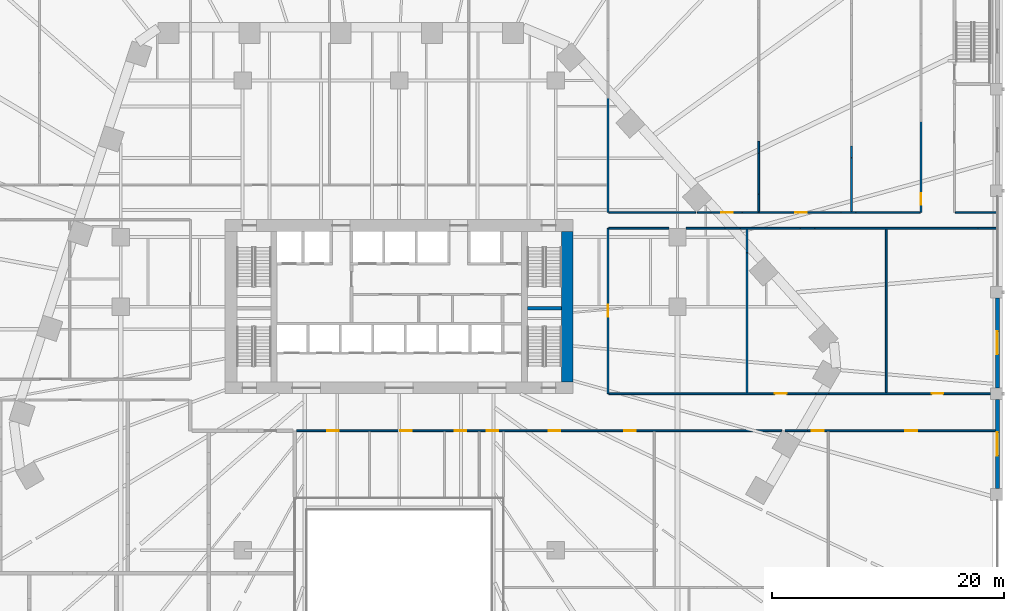
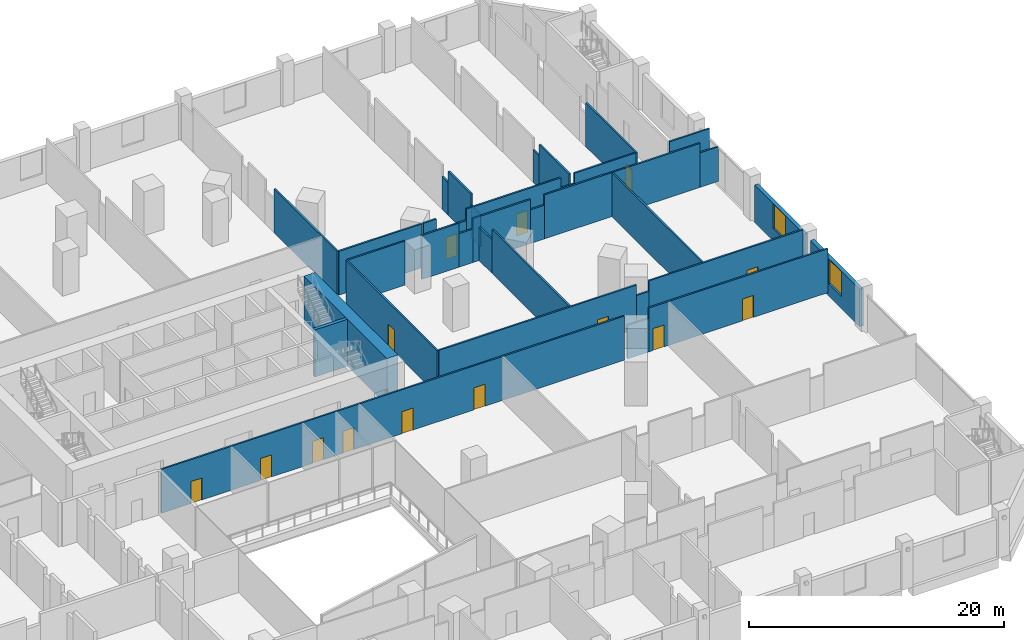
# One storey, part 19 of 33: 35 walls, 14 doors, 2 windows, 16 openings.
"""IFC4 building model written with IfcOpenShell, lengths in metres."""

from ifc_helpers import new_model, si_unit, direction, frame, frame_2d, origin, place, context, subcontext, project, spatial, rectangle, extrude, material, layer, layer_set, type_object, element, fill, save


model = new_model("IFC4")

# Units and contexts
model_context = context("Model", 3, precision=1e-05, world=origin(), true_north=direction((0.0, 1.0)))
body_context = subcontext(model_context, "Body", "Model", "MODEL_VIEW")
ifc_project = project(units=[si_unit("LENGTHUNIT", "METRE"), si_unit("AREAUNIT", "SQUARE_METRE"), si_unit("VOLUMEUNIT", "CUBIC_METRE"), si_unit("PLANEANGLEUNIT", "RADIAN"), si_unit("MASSUNIT", "GRAM", prefix="KILO")], contexts=[model_context])

# Site, building, storey
site_placement = place(None, origin())
site = spatial("IfcSite", under=ifc_project, at=site_placement, CompositionType="ELEMENT")
building_placement = place(site_placement, origin())
building = spatial("IfcBuilding", under=site, at=building_placement, Name="Isthmus Gate Tower", CompositionType="ELEMENT")
storey_placement = place(building_placement, frame((0.0, 0.0, 22.5)))
storey = spatial("IfcBuildingStorey", under=building, at=storey_placement, Name="L03", CompositionType="ELEMENT", Elevation=22.5)

# Wall, opening, door
ifc_material_1 = material(Name="Fire-rated gypsum board on steel studs", Category="steel")
ifc_layer_1 = layer(ifc_material_1, 0.14990234375)
ifc_layer_set_1 = layer_set([ifc_layer_1], Name="Fire-rated partition 150 EI 60")
wall_type_1 = type_object("IfcWallType", Name="Fire-rated partition 150 EI 60", PredefinedType="PARTITIONING", material=ifc_layer_set_1)
wall_1_placement = place(storey_placement, frame((45.0, 15.62939453125, 0.0), z_axis=(0.0, 0.0, 1.0), x_axis=(0.0, 1.0, 0.0)))
wall_1 = element("IfcWall", 1, at=wall_1_placement, inside=storey, type_object=wall_type_1, Name="Fire-rated partition", PredefinedType="PARTITIONING", context=body_context, shape_type="SweptSolid", body=[
    extrude(rectangle(XDim=7.828857421875, YDim=0.14990234375, at=frame_2d((3.91455078125, 0.0))), origin(), (0.0, 0.0, 1.0), 4.199951171875),
])
opening_1_placement = place(wall_1_placement, frame((0.64990234375, 0.0, 0.0)))
opening_1 = element("IfcOpeningElement", 2, at=opening_1_placement, cuts=wall_1, Name="Opening DP03-39", PredefinedType="OPENING", context=body_context, shape_type="SweptSolid", body=[
    extrude(rectangle(XDim=1.0, YDim=2.10009765625, at=frame_2d((0.5, 1.050048828125))), frame((0.0, 0.0849609375, 0.0), z_axis=(0.0, -1.0, 0.0), x_axis=(1.0, 0.0, 0.0)), (0.0, 0.0, 1.0), 0.169921875),
])
ifc_material_2 = material(Name="Steel fire door with intumescent seals", Category="steel")
door_type_1 = type_object("IfcDoorType", Name="Fire door 1000 x 2100", OperationType="SINGLE_SWING_LEFT", PredefinedType="DOOR", material=ifc_material_2)
door_1_placement = place(opening_1_placement, origin())
door_1 = element("IfcDoor", 3, at=door_1_placement, inside=storey, type_object=door_type_1, Name="Door DP03-39", OperationType="SINGLE_SWING_LEFT", OverallHeight=2.10009765625, OverallWidth=1.0, PredefinedType="DOOR", context=body_context, shape_type="SweptSolid", body=[
    extrude(rectangle(XDim=1.0, YDim=2.10009765625, at=frame_2d((0.5, 1.050048828125))), frame((0.0, 0.02490234375, 0.0), z_axis=(0.0, -1.0, 0.0), x_axis=(1.0, 0.0, 0.0)), (0.0, 0.0, 1.0), 0.050048828125),
])
fill(opening_1, door_1)

# Wall, opening, window
ifc_material_3 = material(Name="Precast concrete C40/50, limestone-faced", Category="masonry")
ifc_layer_2 = layer(ifc_material_3, 0.35009765625)
ifc_layer_set_2 = layer_set([ifc_layer_2], Name="PODIUM CLADDING WALL 350")
wall_type_2 = type_object("IfcWallType", Name="PODIUM CLADDING WALL 350", PredefinedType="SOLIDWALL", material=ifc_layer_set_2)
wall_2_placement = place(storey_placement, frame((51.574951171875, -8.199951171875, -0.300048828125), z_axis=(0.0, 0.0, 1.0), x_axis=(0.0, 1.0, 0.0)))
wall_2 = element("IfcWall", 4, at=wall_2_placement, inside=storey, type_object=wall_type_2, Name="PODIUM WALL", PredefinedType="SOLIDWALL", context=body_context, shape_type="SweptSolid", body=[
    extrude(rectangle(XDim=7.699951171875, YDim=0.35009765625, at=frame_2d((3.85009765625, 0.0))), origin(), (0.0, 0.0, 1.0), 3.60009765625),
])
opening_2_placement = place(wall_2_placement, frame((2.85009765625, 0.0, 1.199951171875)))
opening_2 = element("IfcOpeningElement", 5, at=opening_2_placement, cuts=wall_2, Name="Opening W044", PredefinedType="OPENING", context=body_context, shape_type="SweptSolid", body=[
    extrude(rectangle(XDim=2.0, YDim=2.35009765625, at=frame_2d((1.0, 1.175048828125))), frame((0.0, 0.18505859375, 0.0), z_axis=(0.0, -1.0, 0.0), x_axis=(1.0, 0.0, 0.0)), (0.0, 0.0, 1.0), 0.3701171875),
])
ifc_material_4 = material(Name="Aluminium, pale champagne anodised, laminated glass", Category="aluminium")
window_type = type_object("IfcWindowType", Name="PODIUM SLOT WINDOW 2000 X 2350", PartitioningType="SINGLE_PANEL", PredefinedType="WINDOW", material=ifc_material_4)
window_1_placement = place(opening_2_placement, origin())
window_1 = element("IfcWindow", 6, at=window_1_placement, inside=storey, type_object=window_type, Name="SLOT WINDOW", OverallHeight=2.35009765625, OverallWidth=2.0, PartitioningType="SINGLE_PANEL", PredefinedType="WINDOW", context=body_context, shape_type="SweptSolid", body=[
    extrude(rectangle(XDim=2.0, YDim=2.35009765625, at=frame_2d((1.0, 1.175048828125))), frame((0.0, 0.030029296875, 0.0), z_axis=(0.0, -1.0, 0.0), x_axis=(1.0, 0.0, 0.0)), (0.0, 0.0, 1.0), 0.06005859375),
])
fill(opening_2, window_1)

wall_3_placement = place(storey_placement, frame((51.574951171875, 0.5, -0.300048828125), z_axis=(0.0, 0.0, 1.0), x_axis=(0.0, 1.0, 0.0)))
wall_3 = element("IfcWall", 7, at=wall_3_placement, inside=storey, type_object=wall_type_2, Name="PODIUM WALL", PredefinedType="SOLIDWALL", context=body_context, shape_type="SweptSolid", body=[
    extrude(rectangle(XDim=7.75, YDim=0.35009765625, at=frame_2d((3.875, 0.0))), origin(), (0.0, 0.0, 1.0), 3.60009765625),
])
opening_3_placement = place(wall_3_placement, frame((2.875, 0.0, 1.199951171875)))
opening_3 = element("IfcOpeningElement", 8, at=opening_3_placement, cuts=wall_3, Name="Opening W045", PredefinedType="OPENING", context=body_context, shape_type="SweptSolid", body=[
    extrude(rectangle(XDim=2.0, YDim=2.35009765625, at=frame_2d((1.0, 1.175048828125))), frame((0.0, 0.18505859375, 0.0), z_axis=(0.0, -1.0, 0.0), x_axis=(1.0, 0.0, 0.0)), (0.0, 0.0, 1.0), 0.3701171875),
])
window_2_placement = place(opening_3_placement, origin())
window_2 = element("IfcWindow", 9, at=window_2_placement, inside=storey, type_object=window_type, Name="SLOT WINDOW", OverallHeight=2.35009765625, OverallWidth=2.0, PartitioningType="SINGLE_PANEL", PredefinedType="WINDOW", context=body_context, shape_type="SweptSolid", body=[
    extrude(rectangle(XDim=2.0, YDim=2.35009765625, at=frame_2d((1.0, 1.175048828125))), frame((0.0, 0.030029296875, 0.0), z_axis=(0.0, -1.0, 0.0), x_axis=(1.0, 0.0, 0.0)), (0.0, 0.0, 1.0), 0.06005859375),
])
fill(opening_3, window_2)

# Wall, openings, doors
ifc_material_5 = material(Name="Gypsum board on cold-formed steel studs", Category="steel")
ifc_layer_3 = layer(ifc_material_5, 0.14990234375)
ifc_layer_set_3 = layer_set([ifc_layer_3])
wall_type_3 = type_object("IfcWallType", Name="Partition 150 gypsum board on steel studs", PredefinedType="PARTITIONING", material=ifc_layer_set_3)
wall_4_placement = place(storey_placement, frame((-8.85009765625, -3.199951171875, 0.0), z_axis=(0.0, 0.0, 1.0), x_axis=(1.0, 0.0, 0.0)))
wall_4 = element("IfcWall", 10, at=wall_4_placement, inside=storey, type_object=wall_type_3, Name="Partition", PredefinedType="PARTITIONING", context=body_context, shape_type="SweptSolid", body=[
    extrude(rectangle(XDim=41.831298828125, YDim=0.14990234375, at=frame_2d((20.91552734375, 0.0))), origin(), (0.0, 0.0, 1.0), 4.199951171875),
])
opening_4_placement = place(wall_4_placement, frame((21.75, 0.0, 0.0)))
opening_4 = element("IfcOpeningElement", 11, at=opening_4_placement, cuts=wall_4, Name="Opening DP03-19", PredefinedType="OPENING", context=body_context, shape_type="SweptSolid", body=[
    extrude(rectangle(XDim=1.0, YDim=2.10009765625, at=frame_2d((0.5, 1.050048828125))), frame((0.0, 0.0849609375, 0.0), z_axis=(0.0, -1.0, 0.0), x_axis=(1.0, 0.0, 0.0)), (0.0, 0.0, 1.0), 0.169921875),
])
opening_5_placement = place(wall_4_placement, frame((28.25, 0.0, 0.0)))
opening_5 = element("IfcOpeningElement", 12, at=opening_5_placement, cuts=wall_4, Name="Opening DP03-20", PredefinedType="OPENING", context=body_context, shape_type="SweptSolid", body=[
    extrude(rectangle(XDim=1.0, YDim=2.10009765625, at=frame_2d((0.5, 1.050048828125))), frame((0.0, 0.0849609375, 0.0), z_axis=(0.0, -1.0, 0.0), x_axis=(1.0, 0.0, 0.0)), (0.0, 0.0, 1.0), 0.169921875),
])
opening_6_placement = place(wall_4_placement, frame((2.64990234375, 0.0, 0.0)))
opening_6 = element("IfcOpeningElement", 13, at=opening_6_placement, cuts=wall_4, Name="Opening DP03-27", PredefinedType="OPENING", context=body_context, shape_type="SweptSolid", body=[
    extrude(rectangle(XDim=1.0, YDim=2.10009765625, at=frame_2d((0.5, 1.050048828125))), frame((0.0, 0.0849609375, 0.0), z_axis=(0.0, -1.0, 0.0), x_axis=(1.0, 0.0, 0.0)), (0.0, 0.0, 1.0), 0.169921875),
])
opening_7_placement = place(wall_4_placement, frame((8.949951171875, 0.0, 0.0)))
opening_7 = element("IfcOpeningElement", 14, at=opening_7_placement, cuts=wall_4, Name="Opening DP03-28", PredefinedType="OPENING", context=body_context, shape_type="SweptSolid", body=[
    extrude(rectangle(XDim=1.0, YDim=2.10009765625, at=frame_2d((0.5, 1.050048828125))), frame((0.0, 0.0849609375, 0.0), z_axis=(0.0, -1.0, 0.0), x_axis=(1.0, 0.0, 0.0)), (0.0, 0.0, 1.0), 0.169921875),
])
opening_8_placement = place(wall_4_placement, frame((13.64990234375, 0.0, 0.0)))
opening_8 = element("IfcOpeningElement", 15, at=opening_8_placement, cuts=wall_4, Name="Opening DP03-29", PredefinedType="OPENING", context=body_context, shape_type="SweptSolid", body=[
    extrude(rectangle(XDim=1.0, YDim=2.10009765625, at=frame_2d((0.5, 1.050048828125))), frame((0.0, 0.0849609375, 0.0), z_axis=(0.0, -1.0, 0.0), x_axis=(1.0, 0.0, 0.0)), (0.0, 0.0, 1.0), 0.169921875),
])
opening_9_placement = place(wall_4_placement, frame((16.39990234375, 0.0, 0.0)))
opening_9 = element("IfcOpeningElement", 16, at=opening_9_placement, cuts=wall_4, Name="Opening DP03-30", PredefinedType="OPENING", context=body_context, shape_type="SweptSolid", body=[
    extrude(rectangle(XDim=1.0, YDim=2.10009765625, at=frame_2d((0.5, 1.050048828125))), frame((0.0, 0.0849609375, 0.0), z_axis=(0.0, -1.0, 0.0), x_axis=(1.0, 0.0, 0.0)), (0.0, 0.0, 1.0), 0.169921875),
])
ifc_material_6 = material(Name="Hollow metal frame with solid-core timber leaf", Category="wood")
door_type_2 = type_object("IfcDoorType", Name="Single swing door 1000 x 2100", OperationType="SINGLE_SWING_LEFT", PredefinedType="DOOR", material=ifc_material_6)
door_2_placement = place(opening_4_placement, origin())
door_2 = element("IfcDoor", 17, at=door_2_placement, inside=storey, type_object=door_type_2, Name="Door DP03-19", OperationType="SINGLE_SWING_LEFT", OverallHeight=2.10009765625, OverallWidth=1.0, PredefinedType="DOOR", context=body_context, shape_type="SweptSolid", body=[
    extrude(rectangle(XDim=1.0, YDim=2.10009765625, at=frame_2d((0.5, 1.050048828125))), frame((0.0, 0.02490234375, 0.0), z_axis=(0.0, -1.0, 0.0), x_axis=(1.0, 0.0, 0.0)), (0.0, 0.0, 1.0), 0.050048828125),
])
fill(opening_4, door_2)
door_3_placement = place(opening_5_placement, origin())
door_3 = element("IfcDoor", 18, at=door_3_placement, inside=storey, type_object=door_type_2, Name="Door DP03-20", OperationType="SINGLE_SWING_LEFT", OverallHeight=2.10009765625, OverallWidth=1.0, PredefinedType="DOOR", context=body_context, shape_type="SweptSolid", body=[
    extrude(rectangle(XDim=1.0, YDim=2.10009765625, at=frame_2d((0.5, 1.050048828125))), frame((0.0, 0.02490234375, 0.0), z_axis=(0.0, -1.0, 0.0), x_axis=(1.0, 0.0, 0.0)), (0.0, 0.0, 1.0), 0.050048828125),
])
fill(opening_5, door_3)
door_4_placement = place(opening_6_placement, origin())
door_4 = element("IfcDoor", 19, at=door_4_placement, inside=storey, type_object=door_type_2, Name="Door DP03-27", OperationType="SINGLE_SWING_LEFT", OverallHeight=2.10009765625, OverallWidth=1.0, PredefinedType="DOOR", context=body_context, shape_type="SweptSolid", body=[
    extrude(rectangle(XDim=1.0, YDim=2.10009765625, at=frame_2d((0.5, 1.050048828125))), frame((0.0, 0.02490234375, 0.0), z_axis=(0.0, -1.0, 0.0), x_axis=(1.0, 0.0, 0.0)), (0.0, 0.0, 1.0), 0.050048828125),
])
fill(opening_6, door_4)
door_5_placement = place(opening_7_placement, origin())
door_5 = element("IfcDoor", 20, at=door_5_placement, inside=storey, type_object=door_type_2, Name="Door DP03-28", OperationType="SINGLE_SWING_LEFT", OverallHeight=2.10009765625, OverallWidth=1.0, PredefinedType="DOOR", context=body_context, shape_type="SweptSolid", body=[
    extrude(rectangle(XDim=1.0, YDim=2.10009765625, at=frame_2d((0.5, 1.050048828125))), frame((0.0, 0.02490234375, 0.0), z_axis=(0.0, -1.0, 0.0), x_axis=(1.0, 0.0, 0.0)), (0.0, 0.0, 1.0), 0.050048828125),
])
fill(opening_7, door_5)
door_6_placement = place(opening_8_placement, origin())
door_6 = element("IfcDoor", 21, at=door_6_placement, inside=storey, type_object=door_type_2, Name="Door DP03-29", OperationType="SINGLE_SWING_LEFT", OverallHeight=2.10009765625, OverallWidth=1.0, PredefinedType="DOOR", context=body_context, shape_type="SweptSolid", body=[
    extrude(rectangle(XDim=1.0, YDim=2.10009765625, at=frame_2d((0.5, 1.050048828125))), frame((0.0, 0.02490234375, 0.0), z_axis=(0.0, -1.0, 0.0), x_axis=(1.0, 0.0, 0.0)), (0.0, 0.0, 1.0), 0.050048828125),
])
fill(opening_8, door_6)
door_7_placement = place(opening_9_placement, origin())
door_7 = element("IfcDoor", 22, at=door_7_placement, inside=storey, type_object=door_type_2, Name="Door DP03-30", OperationType="SINGLE_SWING_LEFT", OverallHeight=2.10009765625, OverallWidth=1.0, PredefinedType="DOOR", context=body_context, shape_type="SweptSolid", body=[
    extrude(rectangle(XDim=1.0, YDim=2.10009765625, at=frame_2d((0.5, 1.050048828125))), frame((0.0, 0.02490234375, 0.0), z_axis=(0.0, -1.0, 0.0), x_axis=(1.0, 0.0, 0.0)), (0.0, 0.0, 1.0), 0.050048828125),
])
fill(opening_9, door_7)

# Wall
wall_5_placement = place(storey_placement, frame((33.285888671875, -3.199951171875, 0.0), z_axis=(0.0, 0.0, 1.0), x_axis=(1.0, 0.0, 0.0)))
element("IfcWall", 23, at=wall_5_placement, inside=storey, type_object=wall_type_3, Name="Partition", PredefinedType="PARTITIONING", context=body_context, shape_type="SweptSolid", body=[
    extrude(rectangle(XDim=1.903564453125, YDim=0.14990234375, at=frame_2d((0.95166015625, 0.0))), origin(), (0.0, 0.0, 1.0), 3.199951171875),
])

# Wall, openings, doors
wall_6_placement = place(storey_placement, frame((35.189453125, -3.199951171875, 0.0), z_axis=(0.0, 0.0, 1.0), x_axis=(1.0, 0.0, 0.0)))
wall_6 = element("IfcWall", 24, at=wall_6_placement, inside=storey, type_object=wall_type_3, Name="Partition", PredefinedType="PARTITIONING", context=body_context, shape_type="SweptSolid", body=[
    extrude(rectangle(XDim=16.21044921875, YDim=0.14990234375, at=frame_2d((8.105224609375, 0.0))), origin(), (0.0, 0.0, 1.0), 4.199951171875),
])
opening_10_placement = place(wall_6_placement, frame((0.39990234375, 0.0, 0.0)))
opening_10 = element("IfcOpeningElement", 25, at=opening_10_placement, cuts=wall_6, Name="Opening DP03-21", PredefinedType="OPENING", context=body_context, shape_type="SweptSolid", body=[
    extrude(rectangle(XDim=1.0, YDim=2.10009765625, at=frame_2d((0.5, 1.050048828125))), frame((0.0, 0.0849609375, 0.0), z_axis=(0.0, -1.0, 0.0), x_axis=(1.0, 0.0, 0.0)), (0.0, 0.0, 1.0), 0.169921875),
])
opening_11_placement = place(wall_6_placement, frame((8.46044921875, 0.0, 0.0)))
opening_11 = element("IfcOpeningElement", 26, at=opening_11_placement, cuts=wall_6, Name="Opening DP03-22", PredefinedType="OPENING", context=body_context, shape_type="SweptSolid", body=[
    extrude(rectangle(XDim=1.0, YDim=2.10009765625, at=frame_2d((0.5, 1.050048828125))), frame((0.0, 0.0849609375, 0.0), z_axis=(0.0, -1.0, 0.0), x_axis=(1.0, 0.0, 0.0)), (0.0, 0.0, 1.0), 0.169921875),
])
door_8_placement = place(opening_10_placement, origin())
door_8 = element("IfcDoor", 27, at=door_8_placement, inside=storey, type_object=door_type_2, Name="Door DP03-21", OperationType="SINGLE_SWING_LEFT", OverallHeight=2.10009765625, OverallWidth=1.0, PredefinedType="DOOR", context=body_context, shape_type="SweptSolid", body=[
    extrude(rectangle(XDim=1.0, YDim=2.10009765625, at=frame_2d((0.5, 1.050048828125))), frame((0.0, 0.02490234375, 0.0), z_axis=(0.0, -1.0, 0.0), x_axis=(1.0, 0.0, 0.0)), (0.0, 0.0, 1.0), 0.050048828125),
])
fill(opening_10, door_8)
door_9_placement = place(opening_11_placement, origin())
door_9 = element("IfcDoor", 28, at=door_9_placement, inside=storey, type_object=door_type_2, Name="Door DP03-22", OperationType="SINGLE_SWING_LEFT", OverallHeight=2.10009765625, OverallWidth=1.0, PredefinedType="DOOR", context=body_context, shape_type="SweptSolid", body=[
    extrude(rectangle(XDim=1.0, YDim=2.10009765625, at=frame_2d((0.5, 1.050048828125))), frame((0.0, 0.02490234375, 0.0), z_axis=(0.0, -1.0, 0.0), x_axis=(1.0, 0.0, 0.0)), (0.0, 0.0, 1.0), 0.050048828125),
])
fill(opening_11, door_9)

# Wall, opening, door
wall_7_placement = place(storey_placement, frame((18.074951171875, 0.0, 0.0), z_axis=(0.0, 0.0, 1.0), x_axis=(1.0, 0.0, 0.0)))
wall_7 = element("IfcWall", 29, at=wall_7_placement, inside=storey, type_object=wall_type_3, Name="Partition", PredefinedType="PARTITIONING", context=body_context, shape_type="SweptSolid", body=[
    extrude(rectangle(XDim=17.865234375, YDim=0.14990234375, at=frame_2d((8.9326171875, 0.0))), origin(), (0.0, 0.0, 1.0), 4.199951171875),
])
opening_12_placement = place(wall_7_placement, frame((14.324951171875, 0.0, 0.0)))
opening_12 = element("IfcOpeningElement", 30, at=opening_12_placement, cuts=wall_7, Name="Opening DP03-44", PredefinedType="OPENING", context=body_context, shape_type="SweptSolid", body=[
    extrude(rectangle(XDim=1.0, YDim=2.10009765625, at=frame_2d((0.5, 1.050048828125))), frame((0.0, 0.0849609375, 0.0), z_axis=(0.0, -1.0, 0.0), x_axis=(1.0, 0.0, 0.0)), (0.0, 0.0, 1.0), 0.169921875),
])
door_10_placement = place(opening_12_placement, origin())
door_10 = element("IfcDoor", 31, at=door_10_placement, inside=storey, type_object=door_type_2, Name="Door DP03-44", OperationType="SINGLE_SWING_LEFT", OverallHeight=2.10009765625, OverallWidth=1.0, PredefinedType="DOOR", context=body_context, shape_type="SweptSolid", body=[
    extrude(rectangle(XDim=1.0, YDim=2.10009765625, at=frame_2d((0.5, 1.050048828125))), frame((0.0, 0.02490234375, 0.0), z_axis=(0.0, -1.0, 0.0), x_axis=(1.0, 0.0, 0.0)), (0.0, 0.0, 1.0), 0.050048828125),
])
fill(opening_12, door_10)

# Wall
wall_8_placement = place(storey_placement, frame((35.940185546875, 0.0, 0.0), z_axis=(0.0, 0.0, 1.0), x_axis=(1.0, 0.0, 0.0)))
element("IfcWall", 32, at=wall_8_placement, inside=storey, type_object=wall_type_3, Name="Partition", PredefinedType="PARTITIONING", context=body_context, shape_type="SweptSolid", body=[
    extrude(rectangle(XDim=1.096923828125, YDim=0.14990234375, at=frame_2d((0.54833984375, 0.0))), origin(), (0.0, 0.0, 1.0), 3.199951171875),
])

# Wall, opening, door
wall_9_placement = place(storey_placement, frame((37.037109375, 0.0, 0.0), z_axis=(0.0, 0.0, 1.0), x_axis=(1.0, 0.0, 0.0)))
wall_9 = element("IfcWall", 33, at=wall_9_placement, inside=storey, type_object=wall_type_3, Name="Partition", PredefinedType="PARTITIONING", context=body_context, shape_type="SweptSolid", body=[
    extrude(rectangle(XDim=13.962890625, YDim=0.14990234375, at=frame_2d((6.9814453125, 0.0))), origin(), (0.0, 0.0, 1.0), 4.199951171875),
])
opening_13_placement = place(wall_9_placement, frame((8.863037109375, 0.0, 0.0)))
opening_13 = element("IfcOpeningElement", 34, at=opening_13_placement, cuts=wall_9, Name="Opening DP03-45", PredefinedType="OPENING", context=body_context, shape_type="SweptSolid", body=[
    extrude(rectangle(XDim=1.0, YDim=2.10009765625, at=frame_2d((0.5, 1.050048828125))), frame((0.0, 0.0849609375, 0.0), z_axis=(0.0, -1.0, 0.0), x_axis=(1.0, 0.0, 0.0)), (0.0, 0.0, 1.0), 0.169921875),
])
door_11_placement = place(opening_13_placement, origin())
door_11 = element("IfcDoor", 35, at=door_11_placement, inside=storey, type_object=door_type_2, Name="Door DP03-45", OperationType="SINGLE_SWING_LEFT", OverallHeight=2.10009765625, OverallWidth=1.0, PredefinedType="DOOR", context=body_context, shape_type="SweptSolid", body=[
    extrude(rectangle(XDim=1.0, YDim=2.10009765625, at=frame_2d((0.5, 1.050048828125))), frame((0.0, 0.02490234375, 0.0), z_axis=(0.0, -1.0, 0.0), x_axis=(1.0, 0.0, 0.0)), (0.0, 0.0, 1.0), 0.050048828125),
])
fill(opening_13, door_11)

# Walls
wall_10_placement = place(storey_placement, frame((18.074951171875, 14.25, 0.0), z_axis=(0.0, 0.0, 1.0), x_axis=(1.0, 0.0, 0.0)))
element("IfcWall", 36, at=wall_10_placement, inside=storey, type_object=wall_type_3, Name="Partition", PredefinedType="PARTITIONING", context=body_context, shape_type="SweptSolid", body=[
    extrude(rectangle(XDim=5.175048828125, YDim=0.14990234375, at=frame_2d((2.58740234375, 0.0))), origin(), (0.0, 0.0, 1.0), 4.199951171875),
])
wall_11_placement = place(storey_placement, frame((24.75, 14.25, 0.0), z_axis=(0.0, 0.0, 1.0), x_axis=(1.0, 0.0, 0.0)))
element("IfcWall", 37, at=wall_11_placement, inside=storey, type_object=wall_type_3, Name="Partition", PredefinedType="PARTITIONING", context=body_context, shape_type="SweptSolid", body=[
    extrude(rectangle(XDim=3.361083984375, YDim=0.14990234375, at=frame_2d((1.6806640625, 0.0))), origin(), (0.0, 0.0, 1.0), 4.199951171875),
])
wall_12_placement = place(storey_placement, frame((28.111083984375, 14.25, 0.0), z_axis=(0.0, 0.0, 1.0), x_axis=(1.0, 0.0, 0.0)))
element("IfcWall", 38, at=wall_12_placement, inside=storey, type_object=wall_type_3, Name="Partition", PredefinedType="PARTITIONING", context=body_context, shape_type="SweptSolid", body=[
    extrude(rectangle(XDim=1.2783203125, YDim=0.14990234375, at=frame_2d((0.63916015625, 0.0))), origin(), (0.0, 0.0, 1.0), 3.199951171875),
])
wall_13_placement = place(storey_placement, frame((29.389404296875, 14.25, 0.0), z_axis=(0.0, 0.0, 1.0), x_axis=(1.0, 0.0, 0.0)))
element("IfcWall", 39, at=wall_13_placement, inside=storey, type_object=wall_type_3, Name="Partition", PredefinedType="PARTITIONING", context=body_context, shape_type="SweptSolid", body=[
    extrude(rectangle(XDim=5.19970703125, YDim=0.14990234375, at=frame_2d((2.599853515625, 0.0))), origin(), (0.0, 0.0, 1.0), 4.199951171875),
])
wall_14_placement = place(storey_placement, frame((34.589111328125, 14.25, 0.0), z_axis=(0.0, 0.0, 1.0), x_axis=(1.0, 0.0, 0.0)))
element("IfcWall", 40, at=wall_14_placement, inside=storey, type_object=wall_type_3, Name="Partition", PredefinedType="PARTITIONING", context=body_context, shape_type="SweptSolid", body=[
    extrude(rectangle(XDim=1.231201171875, YDim=0.14990234375, at=frame_2d((0.61572265625, 0.0))), origin(), (0.0, 0.0, 1.0), 3.218994140625),
])
wall_15_placement = place(storey_placement, frame((35.8203125, 14.25, 0.0), z_axis=(0.0, 0.0, 1.0), x_axis=(1.0, 0.0, 0.0)))
element("IfcWall", 41, at=wall_15_placement, inside=storey, type_object=wall_type_3, Name="Partition", PredefinedType="PARTITIONING", context=body_context, shape_type="SweptSolid", body=[
    extrude(rectangle(XDim=14.095703125, YDim=0.14990234375, at=frame_2d((7.0478515625, 0.0))), origin(), (0.0, 0.0, 1.0), 4.199951171875),
])
wall_16_placement = place(storey_placement, frame((49.916015625, 14.25, 0.0), z_axis=(0.0, 0.0, 1.0), x_axis=(1.0, 0.0, 0.0)))
element("IfcWall", 42, at=wall_16_placement, inside=storey, type_object=wall_type_3, Name="Partition", PredefinedType="PARTITIONING", context=body_context, shape_type="SweptSolid", body=[
    extrude(rectangle(XDim=1.654052734375, YDim=0.14990234375, at=frame_2d((0.8271484375, 0.0))), origin(), (0.0, 0.0, 1.0), 3.29833984375),
])
wall_17_placement = place(storey_placement, frame((18.074951171875, 15.62890625, 0.0), z_axis=(0.0, 0.0, 1.0), x_axis=(1.0, 0.0, 0.0)))
element("IfcWall", 43, at=wall_17_placement, inside=storey, type_object=wall_type_3, Name="Partition", PredefinedType="PARTITIONING", context=body_context, shape_type="SweptSolid", body=[
    extrude(rectangle(XDim=7.482177734375, YDim=0.14990234375, at=frame_2d((3.7412109375, 0.0))), origin(), (0.0, 0.0, 1.0), 4.199951171875),
])
wall_18_placement = place(storey_placement, frame((25.70751953125, 15.62890625, 0.0), z_axis=(0.0, 0.0, 1.0), x_axis=(1.0, 0.0, 0.0)))
element("IfcWall", 44, at=wall_18_placement, inside=storey, type_object=wall_type_3, Name="Partition", PredefinedType="PARTITIONING", context=body_context, shape_type="SweptSolid", body=[
    extrude(rectangle(XDim=1.161865234375, YDim=0.14990234375, at=frame_2d((0.5810546875, 0.0))), origin(), (0.0, 0.0, 1.0), 4.199951171875),
])

# Wall, opening, door
wall_19_placement = place(storey_placement, frame((26.869384765625, 15.62890625, 0.0), z_axis=(0.0, 0.0, 1.0), x_axis=(1.0, 0.0, 0.0)))
wall_19 = element("IfcWall", 45, at=wall_19_placement, inside=storey, type_object=wall_type_3, Name="Partition", PredefinedType="PARTITIONING", context=body_context, shape_type="SweptSolid", body=[
    extrude(rectangle(XDim=2.697998046875, YDim=0.14990234375, at=frame_2d((1.34912109375, 0.0))), origin(), (0.0, 0.0, 1.0), 3.111083984375),
])
opening_14_placement = place(wall_19_placement, frame((0.89990234375, 0.0, 0.0)))
opening_14 = element("IfcOpeningElement", 46, at=opening_14_placement, cuts=wall_19, Name="Opening DP03-37", PredefinedType="OPENING", context=body_context, shape_type="SweptSolid", body=[
    extrude(rectangle(XDim=1.0, YDim=2.10009765625, at=frame_2d((0.5, 1.050048828125))), frame((0.0, 0.0849609375, 0.0), z_axis=(0.0, -1.0, 0.0), x_axis=(1.0, 0.0, 0.0)), (0.0, 0.0, 1.0), 0.169921875),
])
door_12_placement = place(opening_14_placement, origin())
door_12 = element("IfcDoor", 47, at=door_12_placement, inside=storey, type_object=door_type_2, Name="Door DP03-37", OperationType="SINGLE_SWING_LEFT", OverallHeight=2.10009765625, OverallWidth=1.0, PredefinedType="DOOR", context=body_context, shape_type="SweptSolid", body=[
    extrude(rectangle(XDim=1.0, YDim=2.10009765625, at=frame_2d((0.5, 1.050048828125))), frame((0.0, 0.02490234375, 0.0), z_axis=(0.0, -1.0, 0.0), x_axis=(1.0, 0.0, 0.0)), (0.0, 0.0, 1.0), 0.050048828125),
])
fill(opening_14, door_12)

wall_20_placement = place(storey_placement, frame((29.5673828125, 15.62890625, 0.0), z_axis=(0.0, 0.0, 1.0), x_axis=(1.0, 0.0, 0.0)))
wall_20 = element("IfcWall", 48, at=wall_20_placement, inside=storey, type_object=wall_type_3, Name="Partition", PredefinedType="PARTITIONING", context=body_context, shape_type="SweptSolid", body=[
    extrude(rectangle(XDim=8.54833984375, YDim=0.14990234375, at=frame_2d((4.274169921875, 0.0))), origin(), (0.0, 0.0, 1.0), 4.199951171875),
])
opening_15_placement = place(wall_20_placement, frame((4.582763671875, 0.0, 0.0)))
opening_15 = element("IfcOpeningElement", 49, at=opening_15_placement, cuts=wall_20, Name="Opening DP03-38", PredefinedType="OPENING", context=body_context, shape_type="SweptSolid", body=[
    extrude(rectangle(XDim=1.0, YDim=2.10009765625, at=frame_2d((0.5, 1.050048828125))), frame((0.0, 0.0849609375, 0.0), z_axis=(0.0, -1.0, 0.0), x_axis=(1.0, 0.0, 0.0)), (0.0, 0.0, 1.0), 0.169921875),
])
door_13_placement = place(opening_15_placement, origin())
door_13 = element("IfcDoor", 50, at=door_13_placement, inside=storey, type_object=door_type_2, Name="Door DP03-38", OperationType="SINGLE_SWING_LEFT", OverallHeight=2.10009765625, OverallWidth=1.0, PredefinedType="DOOR", context=body_context, shape_type="SweptSolid", body=[
    extrude(rectangle(XDim=1.0, YDim=2.10009765625, at=frame_2d((0.5, 1.050048828125))), frame((0.0, 0.02490234375, 0.0), z_axis=(0.0, -1.0, 0.0), x_axis=(1.0, 0.0, 0.0)), (0.0, 0.0, 1.0), 0.050048828125),
])
fill(opening_15, door_13)

# Walls
wall_21_placement = place(storey_placement, frame((38.11572265625, 15.62890625, 0.0), z_axis=(0.0, 0.0, 1.0), x_axis=(1.0, 0.0, 0.0)))
element("IfcWall", 51, at=wall_21_placement, inside=storey, type_object=wall_type_3, Name="Partition", PredefinedType="PARTITIONING", context=body_context, shape_type="SweptSolid", body=[
    extrude(rectangle(XDim=1.2314453125, YDim=0.14990234375, at=frame_2d((0.61572265625, 0.0))), origin(), (0.0, 0.0, 1.0), 3.218994140625),
])
wall_22_placement = place(storey_placement, frame((39.34716796875, 15.62890625, 0.0), z_axis=(0.0, 0.0, 1.0), x_axis=(1.0, 0.0, 0.0)))
element("IfcWall", 52, at=wall_22_placement, inside=storey, type_object=wall_type_3, Name="Partition", PredefinedType="PARTITIONING", context=body_context, shape_type="SweptSolid", body=[
    extrude(rectangle(XDim=5.577880859375, YDim=0.14990234375, at=frame_2d((2.7890625, 0.0))), origin(), (0.0, 0.0, 1.0), 4.199951171875),
])
wall_23_placement = place(storey_placement, frame((47.949951171875, 15.62890625, 0.0), z_axis=(0.0, 0.0, 1.0), x_axis=(1.0, 0.0, 0.0)))
element("IfcWall", 53, at=wall_23_placement, inside=storey, type_object=wall_type_3, Name="Partition", PredefinedType="PARTITIONING", context=body_context, shape_type="SweptSolid", body=[
    extrude(rectangle(XDim=3.6201171875, YDim=0.14990234375, at=frame_2d((1.81005859375, 0.0))), origin(), (0.0, 0.0, 1.0), 4.199951171875),
])

# Wall, opening, door
wall_24_placement = place(storey_placement, frame((18.0, 0.0, 0.0), z_axis=(0.0, 0.0, 1.0), x_axis=(0.0, 1.0, 0.0)))
wall_24 = element("IfcWall", 54, at=wall_24_placement, inside=storey, type_object=wall_type_3, Name="Partition", PredefinedType="PARTITIONING", context=body_context, shape_type="SweptSolid", body=[
    extrude(rectangle(XDim=14.25, YDim=0.14990234375, at=frame_2d((7.125, 0.0))), origin(), (0.0, 0.0, 1.0), 4.199951171875),
])
opening_16_placement = place(wall_24_placement, frame((6.64990234375, 0.0, 0.0)))
opening_16 = element("IfcOpeningElement", 55, at=opening_16_placement, cuts=wall_24, Name="Opening DP03-43", PredefinedType="OPENING", context=body_context, shape_type="SweptSolid", body=[
    extrude(rectangle(XDim=1.0, YDim=2.10009765625, at=frame_2d((0.5, 1.050048828125))), frame((0.0, 0.0849609375, 0.0), z_axis=(0.0, -1.0, 0.0), x_axis=(1.0, 0.0, 0.0)), (0.0, 0.0, 1.0), 0.169921875),
])
door_14_placement = place(opening_16_placement, origin())
door_14 = element("IfcDoor", 56, at=door_14_placement, inside=storey, type_object=door_type_2, Name="Door DP03-43", OperationType="SINGLE_SWING_LEFT", OverallHeight=2.10009765625, OverallWidth=1.0, PredefinedType="DOOR", context=body_context, shape_type="SweptSolid", body=[
    extrude(rectangle(XDim=1.0, YDim=2.10009765625, at=frame_2d((0.5, 1.050048828125))), frame((0.0, 0.02490234375, 0.0), z_axis=(0.0, -1.0, 0.0), x_axis=(1.0, 0.0, 0.0)), (0.0, 0.0, 1.0), 0.050048828125),
])
fill(opening_16, door_14)

# Walls
wall_25_placement = place(storey_placement, frame((18.0, 15.62939453125, 0.0), z_axis=(0.0, 0.0, 1.0), x_axis=(0.0, 1.0, 0.0)))
element("IfcWall", 57, at=wall_25_placement, inside=storey, type_object=wall_type_3, Name="Partition", PredefinedType="PARTITIONING", context=body_context, shape_type="SweptSolid", body=[
    extrude(rectangle(XDim=9.85009765625, YDim=0.14990234375, at=frame_2d((4.925048828125, 0.0))), origin(), (0.0, 0.0, 1.0), 4.199951171875),
])
wall_26_placement = place(storey_placement, frame((30.0, 0.074951171875, 0.0), z_axis=(0.0, 0.0, 1.0), x_axis=(0.0, 1.0, 0.0)))
element("IfcWall", 58, at=wall_26_placement, inside=storey, type_object=wall_type_3, Name="Partition", PredefinedType="PARTITIONING", context=body_context, shape_type="SweptSolid", body=[
    extrude(rectangle(XDim=12.0771484375, YDim=0.14990234375, at=frame_2d((6.03857421875, 0.0))), origin(), (0.0, 0.0, 1.0), 4.199951171875),
])
wall_27_placement = place(storey_placement, frame((30.0, 12.152099609375, 0.0), z_axis=(0.0, 0.0, 1.0), x_axis=(0.0, 1.0, 0.0)))
element("IfcWall", 59, at=wall_27_placement, inside=storey, type_object=wall_type_3, Name="Partition", PredefinedType="PARTITIONING", context=body_context, shape_type="SweptSolid", body=[
    extrude(rectangle(XDim=2.02294921875, YDim=0.14990234375, at=frame_2d((1.011474609375, 0.0))), origin(), (0.0, 0.0, 1.0), 3.199951171875),
])
wall_28_placement = place(storey_placement, frame((31.0, 15.7041015625, 0.0), z_axis=(0.0, 0.0, 1.0), x_axis=(0.0, 1.0, 0.0)))
element("IfcWall", 60, at=wall_28_placement, inside=storey, type_object=wall_type_3, Name="Partition", PredefinedType="PARTITIONING", context=body_context, shape_type="SweptSolid", body=[
    extrude(rectangle(XDim=1.479248046875, YDim=0.14990234375, at=frame_2d((0.73974609375, 0.0))), origin(), (0.0, 0.0, 1.0), 3.111083984375),
])
wall_29_placement = place(storey_placement, frame((31.0, 17.183349609375, 0.0), z_axis=(0.0, 0.0, 1.0), x_axis=(0.0, 1.0, 0.0)))
element("IfcWall", 61, at=wall_29_placement, inside=storey, type_object=wall_type_3, Name="Partition", PredefinedType="PARTITIONING", context=body_context, shape_type="SweptSolid", body=[
    extrude(rectangle(XDim=3.55712890625, YDim=0.14990234375, at=frame_2d((1.778564453125, 0.0))), origin(), (0.0, 0.0, 1.0), 4.199951171875),
])
wall_30_placement = place(storey_placement, frame((31.0, 20.740478515625, 0.0), z_axis=(0.0, 0.0, 1.0), x_axis=(0.0, 1.0, 0.0)))
element("IfcWall", 62, at=wall_30_placement, inside=storey, type_object=wall_type_3, Name="Partition", PredefinedType="PARTITIONING", context=body_context, shape_type="SweptSolid", body=[
    extrude(rectangle(XDim=1.0, YDim=0.14990234375, at=frame_2d((0.5, 0.0))), origin(), (0.0, 0.0, 1.0), 3.111083984375),
])
wall_31_placement = place(storey_placement, frame((39.0, 15.7041015625, 0.0), z_axis=(0.0, 0.0, 1.0), x_axis=(0.0, 1.0, 0.0)))
element("IfcWall", 63, at=wall_31_placement, inside=storey, type_object=wall_type_3, Name="Partition", PredefinedType="PARTITIONING", context=body_context, shape_type="SweptSolid", body=[
    extrude(rectangle(XDim=4.63623046875, YDim=0.14990234375, at=frame_2d((2.318115234375, 0.0))), origin(), (0.0, 0.0, 1.0), 4.199951171875),
])
wall_32_placement = place(storey_placement, frame((39.0, 20.34033203125, 0.0), z_axis=(0.0, 0.0, 1.0), x_axis=(0.0, 1.0, 0.0)))
element("IfcWall", 64, at=wall_32_placement, inside=storey, type_object=wall_type_3, Name="Partition", PredefinedType="PARTITIONING", context=body_context, shape_type="SweptSolid", body=[
    extrude(rectangle(XDim=1.0, YDim=0.14990234375, at=frame_2d((0.5, 0.0))), origin(), (0.0, 0.0, 1.0), 3.111083984375),
])
wall_33_placement = place(storey_placement, frame((42.0, 0.074951171875, 0.0), z_axis=(0.0, 0.0, 1.0), x_axis=(0.0, 1.0, 0.0)))
element("IfcWall", 65, at=wall_33_placement, inside=storey, type_object=wall_type_3, Name="Partition", PredefinedType="PARTITIONING", context=body_context, shape_type="SweptSolid", body=[
    extrude(rectangle(XDim=14.10009765625, YDim=0.14990234375, at=frame_2d((7.050048828125, 0.0))), origin(), (0.0, 0.0, 1.0), 4.199951171875),
])
ifc_material_7 = material(Name="Concrete f'c 70 MPa", Category="concrete")
ifc_layer_4 = layer(ifc_material_7, 1.0)
ifc_layer_set_4 = layer_set([ifc_layer_4], Name="RC CORE WALL 1000 F'C 70")
wall_type_4 = type_object("IfcWallType", Name="RC CORE WALL 1000 F'C 70", PredefinedType="SOLIDWALL", material=ifc_layer_set_4)
wall_34_placement = place(storey_placement, frame((14.5, 1.0, -0.300048828125), z_axis=(0.0, 0.0, 1.0), x_axis=(0.0, 1.0, 0.0)))
element("IfcWall", 66, at=wall_34_placement, inside=storey, type_object=wall_type_4, Name="str-corewall-L03-E", PredefinedType="SOLIDWALL", context=body_context, shape_type="SweptSolid", body=[
    extrude(rectangle(XDim=13.0, YDim=1.0, at=frame_2d((6.5, 0.0))), origin(), (0.0, 0.0, 1.0), 4.5),
])
ifc_material_8 = material(Name="Concrete f'c 40 MPa", Category="concrete")
ifc_layer_5 = layer(ifc_material_8, 0.300048828125)
ifc_layer_set_5 = layer_set([ifc_layer_5], Name="STAIR ENCLOSURE WALL 300 180 MIN")
wall_type_5 = type_object("IfcWallType", Name="STAIR ENCLOSURE WALL 300 180 MIN", PredefinedType="SOLIDWALL", material=ifc_layer_set_5)
wall_35_placement = place(storey_placement, frame((11.050048828125, 7.35009765625, -0.300048828125), z_axis=(0.0, 0.0, 1.0), x_axis=(1.0, 0.0, 0.0)))
element("IfcWall", 67, at=wall_35_placement, inside=storey, type_object=wall_type_5, Name="L03 STAIR ENCLOSURE WALL 300 180 MIN", PredefinedType="SOLIDWALL", context=body_context, shape_type="SweptSolid", body=[
    extrude(rectangle(XDim=2.949951171875, YDim=0.300048828125, at=frame_2d((1.47509765625, 0.0))), origin(), (0.0, 0.0, 1.0), 4.5),
])

save(model, "model.ifc")
